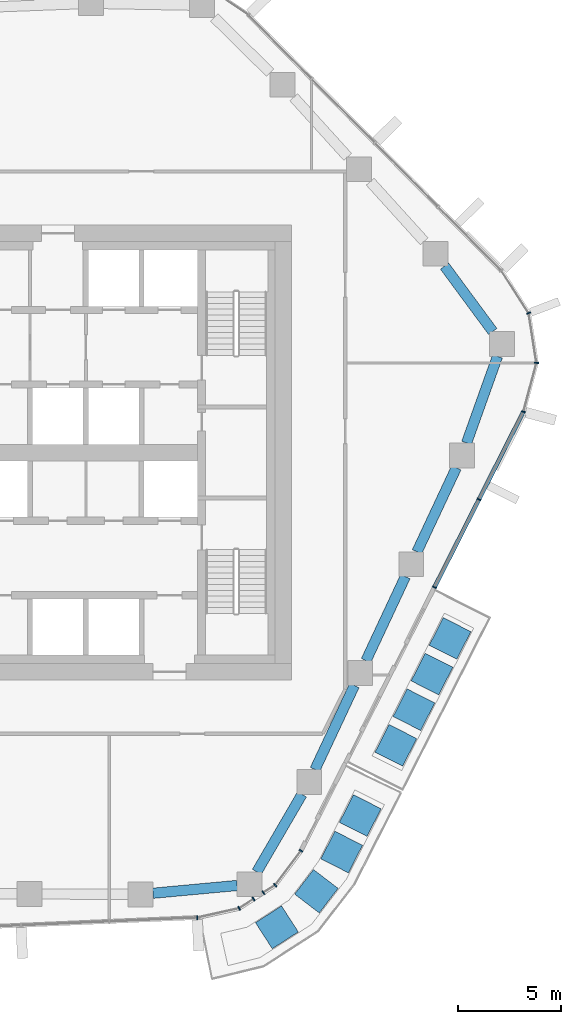
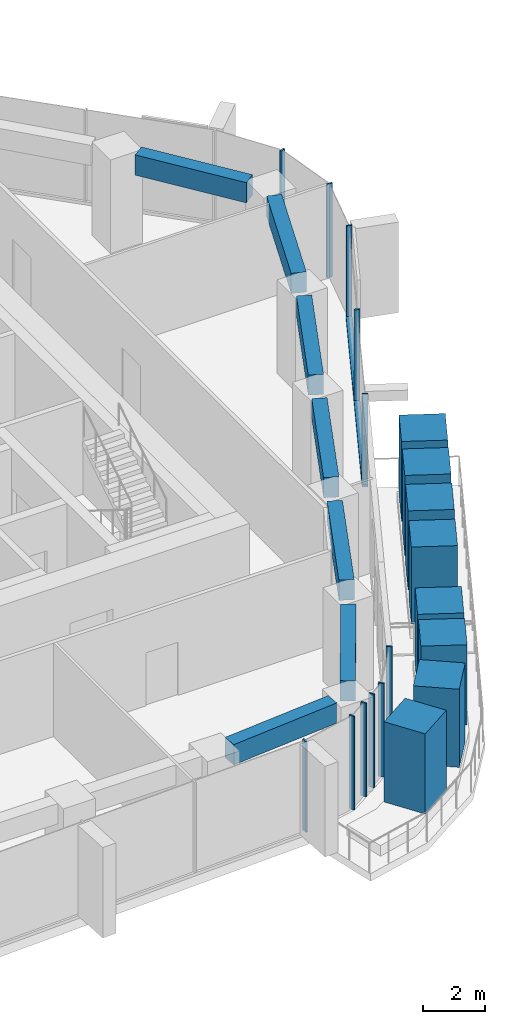
# One storey, part 4 of 17: 20 members, 7 beams, 5 elements without a shape of their own.
"""IFC4 building model written with IfcOpenShell, lengths in metres."""

from ifc_helpers import new_model, si_unit, direction, frame, origin, origin_2d, place, context, subcontext, project, spatial, rectangle, extrude, material, layer, layer_set, material_profile, profile_set, type_object, element, aggregate, save


model = new_model("IFC4")

# Units and contexts
model_context = context("Model", 3, precision=1e-05, world=origin(), true_north=direction((0.0, 1.0)))
body_context = subcontext(model_context, "Body", "Model", "MODEL_VIEW")
ifc_project = project(units=[si_unit("LENGTHUNIT", "METRE"), si_unit("AREAUNIT", "SQUARE_METRE"), si_unit("VOLUMEUNIT", "CUBIC_METRE"), si_unit("PLANEANGLEUNIT", "RADIAN"), si_unit("MASSUNIT", "GRAM", prefix="KILO")], contexts=[model_context])

# Site, building, storey
site_placement = place(None, origin())
site = spatial("IfcSite", under=ifc_project, at=site_placement, CompositionType="ELEMENT")
building_placement = place(site_placement, origin())
building = spatial("IfcBuilding", under=site, at=building_placement, Name="Dongbaek Canopy Tower", CompositionType="ELEMENT")
storey_placement = place(building_placement, frame((0.0, 0.0, 179.60009765625)))
storey = spatial("IfcBuildingStorey", under=building, at=storey_placement, Name="L39", CompositionType="ELEMENT", Elevation=179.60009765625)

# Curtain wall, members
ifc_material_1 = material(Name="Aluminium 6063-T6 pale anodised", Category="aluminium")
ifc_layer = layer(ifc_material_1, 0.199951171875)
ifc_layer_set = layer_set([ifc_layer], Name="CW-1 unitised tower curtain wall")
curtain_wall_type = type_object("IfcCurtainWallType", Name="CW-1 unitised tower curtain wall", PredefinedType="NOTDEFINED", material=ifc_layer_set)
curtain_wall_1_placement = place(storey_placement, origin())
curtain_wall_1 = element("IfcCurtainWall", 1, at=curtain_wall_1_placement, inside=storey, type_object=curtain_wall_type, Name="CW-1 curtain wall K0.1", PredefinedType="NOTDEFINED")
ifc_material_2 = material(Name="Aluminium 6063-T6 pale anodised", Category="aluminium")
ifc_material_profile_1 = material_profile(ifc_material_2, rectangle(XDim=0.199951171875, YDim=0.06005859375, at=origin_2d()), Name="CW-1 mullion 60 x 200")
ifc_profile_set_1 = profile_set([ifc_material_profile_1], Name="Aluminium 6063-T6 pale anodised")
member_type_1 = type_object("IfcMemberType", Name="CW-1 mullion 60 x 200", PredefinedType="MULLION", material=ifc_profile_set_1)
member_1_placement = place(storey_placement, frame((25.218505859375, 1.974609375, 0.0), z_axis=(0.0, 0.0, 1.0), x_axis=(0.966167065095, -0.257917045436, 0.0)))
member_1 = element("IfcMember", 2, at=member_1_placement, type_object=member_type_1, Name="CW-1 mullion K0.1.1", PredefinedType="MULLION", context=body_context, shape_type="SweptSolid", body=[
    extrude(rectangle(XDim=0.199951171875, YDim=0.06005859375, at=origin_2d()), origin(), (0.0, 0.0, 1.0), 3.699951171875),
])
member_2_placement = place(storey_placement, frame((25.85009765625, 4.340087890625, 0.0), z_axis=(0.0, 0.0, 1.0), x_axis=(0.998610902955, -0.052690269496, 0.0)))
member_2 = element("IfcMember", 3, at=member_2_placement, type_object=member_type_1, Name="CW-1 mullion K0.1.2", PredefinedType="MULLION", context=body_context, shape_type="SweptSolid", body=[
    extrude(rectangle(XDim=0.199951171875, YDim=0.06005859375, at=origin_2d()), origin(), (0.0, 0.0, 1.0), 3.699951171875),
])
member_3_placement = place(storey_placement, frame((25.47265625, 6.748291015625, 0.0), z_axis=(0.0, 0.0, 1.0), x_axis=(0.934627080368, 0.355629330402, 0.0)))
member_3 = element("IfcMember", 4, at=member_3_placement, type_object=member_type_1, Name="CW-1 mullion K0.1.3", PredefinedType="MULLION", context=body_context, shape_type="SweptSolid", body=[
    extrude(rectangle(XDim=0.199951171875, YDim=0.06005859375, at=origin_2d()), origin(), (0.0, 0.0, 1.0), 3.699951171875),
])
aggregate(curtain_wall_1, [member_1, member_2, member_3])

# Curtain wall, member
curtain_wall_2_placement = place(storey_placement, origin())
curtain_wall_2 = element("IfcCurtainWall", 5, at=curtain_wall_2_placement, inside=storey, type_object=curtain_wall_type, Name="CW-1 curtain wall F4.1", PredefinedType="NOTDEFINED")
member_4_placement = place(storey_placement, frame((9.439697265625, -22.49658203125, 0.119873046875), z_axis=(0.0, 0.0, 1.0), x_axis=(0.043640187851, -0.999047313196, 0.0)))
member_4 = element("IfcMember", 6, at=member_4_placement, type_object=member_type_1, Name="CW-1 mullion F4.1.5", PredefinedType="MULLION", context=body_context, shape_type="SweptSolid", body=[
    extrude(rectangle(XDim=0.199951171875, YDim=0.06005859375, at=origin_2d()), origin(), (0.0, 0.0, 1.0), 3.580078125),
])
aggregate(curtain_wall_2, [member_4])

# Curtain wall, members
curtain_wall_3_placement = place(storey_placement, origin())
curtain_wall_3 = element("IfcCurtainWall", 7, at=curtain_wall_3_placement, inside=storey, type_object=curtain_wall_type, Name="CW-1 curtain wall K5.1a", PredefinedType="NOTDEFINED")
member_5_placement = place(storey_placement, frame((11.46826171875, -22.04296875, 0.0), z_axis=(0.0, 0.0, 1.0), x_axis=(0.386065487551, -0.922471375882, 0.0)))
member_5 = element("IfcMember", 8, at=member_5_placement, type_object=member_type_1, Name="CW-1 mullion K5.1a.2", PredefinedType="MULLION", context=body_context, shape_type="SweptSolid", body=[
    extrude(rectangle(XDim=0.199951171875, YDim=0.06005859375, at=origin_2d()), origin(), (0.0, 0.0, 1.0), 3.699951171875),
])
member_6_placement = place(storey_placement, frame((12.1640625, -21.59423828125, 0.0), z_axis=(0.0, 0.0, 1.0), x_axis=(0.541917367704, -0.8404317739, 0.0)))
member_6 = element("IfcMember", 9, at=member_6_placement, type_object=member_type_1, Name="CW-1 mullion K5.1a.3", PredefinedType="MULLION", context=body_context, shape_type="SweptSolid", body=[
    extrude(rectangle(XDim=0.199951171875, YDim=0.06005859375, at=origin_2d()), origin(), (0.0, 0.0, 1.0), 3.699951171875),
])
aggregate(curtain_wall_3, [member_5, member_6])

curtain_wall_4_placement = place(storey_placement, origin())
curtain_wall_4 = element("IfcCurtainWall", 10, at=curtain_wall_4_placement, inside=storey, type_object=curtain_wall_type, Name="CW-1 curtain wall K5.1b", PredefinedType="NOTDEFINED")
member_7_placement = place(storey_placement, frame((12.642333984375, -21.285888671875, 0.0), z_axis=(0.0, 0.0, 1.0), x_axis=(0.541917367704, -0.8404317739, 0.0)))
member_7 = element("IfcMember", 11, at=member_7_placement, type_object=member_type_1, Name="CW-1 mullion K5.1b.1", PredefinedType="MULLION", context=body_context, shape_type="SweptSolid", body=[
    extrude(rectangle(XDim=0.199951171875, YDim=0.06005859375, at=origin_2d()), origin(), (0.0, 0.0, 1.0), 3.699951171875),
])
member_8_placement = place(storey_placement, frame((13.20751953125, -20.92138671875, 0.0), z_axis=(0.0, 0.0, 1.0), x_axis=(0.680958805912, -0.732321722094, 0.0)))
member_8 = element("IfcMember", 12, at=member_8_placement, type_object=member_type_1, Name="CW-1 mullion K5.1b.2", PredefinedType="MULLION", context=body_context, shape_type="SweptSolid", body=[
    extrude(rectangle(XDim=0.199951171875, YDim=0.06005859375, at=origin_2d()), origin(), (0.0, 0.0, 1.0), 3.699951171875),
])
member_9_placement = place(storey_placement, frame((14.4580078125, -19.2607421875, 0.0), z_axis=(0.0, 0.0, 1.0), x_axis=(0.798876694377, -0.601494827227, 0.0)))
member_9 = element("IfcMember", 13, at=member_9_placement, type_object=member_type_1, Name="CW-1 mullion K5.1b.3", PredefinedType="MULLION", context=body_context, shape_type="SweptSolid", body=[
    extrude(rectangle(XDim=0.199951171875, YDim=0.06005859375, at=origin_2d()), origin(), (0.0, 0.0, 1.0), 3.699951171875),
])
aggregate(curtain_wall_4, [member_7, member_8, member_9])

curtain_wall_5_placement = place(storey_placement, origin())
curtain_wall_5 = element("IfcCurtainWall", 14, at=curtain_wall_5_placement, inside=storey, type_object=curtain_wall_type, Name="CW-1 curtain wall F5.1", PredefinedType="NOTDEFINED")
member_10_placement = place(storey_placement, frame((20.91552734375, -6.51708984375, 0.119873046875), z_axis=(0.0, 0.0, 1.0), x_axis=(0.892013184253, -0.452009379459, 0.0)))
member_10 = element("IfcMember", 15, at=member_10_placement, type_object=member_type_1, Name="CW-1 mullion F5.1.1", PredefinedType="MULLION", context=body_context, shape_type="SweptSolid", body=[
    extrude(rectangle(XDim=0.199951171875, YDim=0.06005859375, at=origin_2d()), origin(), (0.0, 0.0, 1.0), 3.580078125),
])
member_11_placement = place(storey_placement, frame((23.0693359375, -2.2666015625, 0.119873046875), z_axis=(0.0, 0.0, 1.0), x_axis=(0.892013184253, -0.452009379459, 0.0)))
member_11 = element("IfcMember", 16, at=member_11_placement, type_object=member_type_1, Name="CW-1 mullion F5.1.2", PredefinedType="MULLION", context=body_context, shape_type="SweptSolid", body=[
    extrude(rectangle(XDim=0.199951171875, YDim=0.06005859375, at=origin_2d()), origin(), (0.0, 0.0, 1.0), 3.580078125),
])
ifc_material_3 = material(Name="Aluminium 6063-T6 pale anodised", Category="aluminium")
ifc_material_profile_2 = material_profile(ifc_material_3, rectangle(XDim=0.199951171875, YDim=0.1201171875, at=origin_2d()), Name="CW-1 transom 120 x 200")
ifc_profile_set_2 = profile_set([ifc_material_profile_2], Name="Aluminium 6063-T6 pale anodised")
member_type_2 = type_object("IfcMemberType", Name="CW-1 transom 120 x 200", PredefinedType="USERDEFINED", material=ifc_profile_set_2)
member_12_placement = place(storey_placement, frame((20.91552734375, -6.51708984375, 0.059814453125), z_axis=(0.452008055739, 0.89201385502, 0.0), x_axis=(-0.89201385502, 0.452008055739, 0.0)))
member_12 = element("IfcMember", 17, at=member_12_placement, type_object=member_type_2, Name="CW-1 transom F5.1.1", ObjectType="TRANSOM", PredefinedType="USERDEFINED", context=body_context, shape_type="SweptSolid", body=[
    extrude(rectangle(XDim=0.199951171875, YDim=0.1201171875, at=origin_2d()), origin(), (0.0, 0.0, 1.0), 9.519775390625),
])
aggregate(curtain_wall_5, [member_10, member_11, member_12])

# Beams
ifc_material_4 = material(Name="Concrete C70", Category="concrete")
ifc_material_profile_3 = material_profile(ifc_material_4, rectangle(XDim=0.5, YDim=0.800048828125, at=origin_2d()), Name="RC EDGE BEAM 500x800 C70")
ifc_profile_set_3 = profile_set([ifc_material_profile_3], Name="Concrete C70")
beam_type = type_object("IfcBeamType", Name="RC EDGE BEAM 500x800 C70", PredefinedType="BEAM", material=ifc_profile_set_3)
beam_1_placement = place(storey_placement, frame((11.3720703125, -20.9404296875, 3.2998046875), z_axis=(-0.995763065099, -0.091956066598, 0.0), x_axis=(0.091956066598, -0.995763065099, 0.0)))
element("IfcBeam", 18, at=beam_1_placement, inside=storey, type_object=beam_type, Name="EDGEBEAM:L39:00", PredefinedType="BEAM", context=body_context, shape_type="SweptSolid", body=[
    extrude(rectangle(XDim=0.5, YDim=0.800048828125, at=origin_2d()), origin(), (0.0, 0.0, 1.0), 4.09130859375),
])
beam_2_placement = place(storey_placement, frame((21.402587890625, 9.02099609375, 3.2998046875), z_axis=(0.593743199573, -0.804654592332, 0.0), x_axis=(0.804654592332, 0.593743199573, 0.0)))
element("IfcBeam", 19, at=beam_2_placement, inside=storey, type_object=beam_type, Name="EDGEBEAM:L39:20", PredefinedType="BEAM", context=body_context, shape_type="SweptSolid", body=[
    extrude(rectangle(XDim=0.5, YDim=0.800048828125, at=origin_2d()), origin(), (0.0, 0.0, 1.0), 3.93212890625),
])
beam_3_placement = place(storey_placement, frame((23.965576171875, 4.656982421875, 3.2998046875), z_axis=(-0.336398951073, -0.941719568511, 0.0), x_axis=(0.941719568511, -0.336398951073, 0.0)))
element("IfcBeam", 20, at=beam_3_placement, inside=storey, type_object=beam_type, Name="EDGEBEAM:L39:21", PredefinedType="BEAM", context=body_context, shape_type="SweptSolid", body=[
    extrude(rectangle(XDim=0.5, YDim=0.800048828125, at=origin_2d()), origin(), (0.0, 0.0, 1.0), 4.4501953125),
])
beam_4_placement = place(storey_placement, frame((21.972900390625, -0.73388671875, 3.2998046875), z_axis=(-0.424114752544, -0.905608456605, 0.0), x_axis=(0.905608456605, -0.424114752544, 0.0)))
element("IfcBeam", 21, at=beam_4_placement, inside=storey, type_object=beam_type, Name="EDGEBEAM:L39:22", PredefinedType="BEAM", context=body_context, shape_type="SweptSolid", body=[
    extrude(rectangle(XDim=0.5, YDim=0.800048828125, at=origin_2d()), origin(), (0.0, 0.0, 1.0), 4.489013671875),
])
beam_5_placement = place(storey_placement, frame((19.507080078125, -5.9990234375, 3.2998046875), z_axis=(-0.424057758342, -0.905635145956, 0.0), x_axis=(0.905635145956, -0.424057758342, 0.0)))
element("IfcBeam", 22, at=beam_5_placement, inside=storey, type_object=beam_type, Name="EDGEBEAM:L39:23", PredefinedType="BEAM", context=body_context, shape_type="SweptSolid", body=[
    extrude(rectangle(XDim=0.5, YDim=0.800048828125, at=origin_2d()), origin(), (0.0, 0.0, 1.0), 4.49072265625),
])
beam_6_placement = place(storey_placement, frame((17.041015625, -11.26611328125, 3.2998046875), z_axis=(-0.424275059541, -0.905533364295, 0.0), x_axis=(0.905533364295, -0.424275059541, 0.0)))
element("IfcBeam", 23, at=beam_6_placement, inside=storey, type_object=beam_type, Name="EDGEBEAM:L39:24", PredefinedType="BEAM", context=body_context, shape_type="SweptSolid", body=[
    extrude(rectangle(XDim=0.5, YDim=0.800048828125, at=origin_2d()), origin(), (0.0, 0.0, 1.0), 4.489990234375),
])
beam_7_placement = place(storey_placement, frame((14.505859375, -16.531982421875, 3.2998046875), z_axis=(-0.503073799677, -0.864243456486, 0.0), x_axis=(0.864243456486, -0.503073799677, 0.0)))
element("IfcBeam", 24, at=beam_7_placement, inside=storey, type_object=beam_type, Name="EDGEBEAM:L39:25", PredefinedType="BEAM", context=body_context, shape_type="SweptSolid", body=[
    extrude(rectangle(XDim=0.5, YDim=0.800048828125, at=origin_2d()), origin(), (0.0, 0.0, 1.0), 4.342529296875),
])

# Members
ifc_material_5 = material(Name="Concrete C40/50 planter mass with planting", Category="concrete")
ifc_material_profile_4 = material_profile(ifc_material_5, rectangle(XDim=1.5, YDim=1.5, at=origin_2d()), Name="Terrace PLANTER shrub mass 1500 x 1500")
ifc_profile_set_4 = profile_set([ifc_material_profile_4], Name="Concrete C40/50 planter mass with planting")
member_type_3 = type_object("IfcMemberType", Name="Terrace PLANTER shrub mass 1500 x 1500", PredefinedType="USERDEFINED", material=ifc_profile_set_4)
member_13_placement = place(storey_placement, frame((19.048095703125, -14.16259765625, 0.419921875), z_axis=(0.0, 0.0, 1.0), x_axis=(0.892013184253, -0.452009379459, 0.0)))
element("IfcMember", 25, at=member_13_placement, inside=storey, type_object=member_type_3, Name="Planter shrubs L39 1.1", ObjectType="PLANTER", PredefinedType="USERDEFINED", context=body_context, shape_type="SweptSolid", body=[
    extrude(rectangle(XDim=1.5, YDim=1.5, at=origin_2d()), origin(), (0.0, 0.0, 1.0), 3.050048828125),
])
member_14_placement = place(storey_placement, frame((19.921630859375, -12.438720703125, 0.419921875), z_axis=(0.0, 0.0, 1.0), x_axis=(0.892013184253, -0.452009379459, 0.0)))
element("IfcMember", 26, at=member_14_placement, inside=storey, type_object=member_type_3, Name="Planter shrubs L39 1.2", ObjectType="PLANTER", PredefinedType="USERDEFINED", context=body_context, shape_type="SweptSolid", body=[
    extrude(rectangle(XDim=1.5, YDim=1.5, at=origin_2d()), origin(), (0.0, 0.0, 1.0), 3.1298828125),
])
member_15_placement = place(storey_placement, frame((20.795166015625, -10.71484375, 0.419921875), z_axis=(0.0, 0.0, 1.0), x_axis=(0.892013184253, -0.452009379459, 0.0)))
element("IfcMember", 27, at=member_15_placement, inside=storey, type_object=member_type_3, Name="Planter shrubs L39 1.3", ObjectType="PLANTER", PredefinedType="USERDEFINED", context=body_context, shape_type="SweptSolid", body=[
    extrude(rectangle(XDim=1.5, YDim=1.5, at=origin_2d()), origin(), (0.0, 0.0, 1.0), 3.179931640625),
])
for number, where, z_axis, x_axis, name in (
    (28, (21.668701171875, -8.990966796875, 0.419921875), (0.0, 0.0, 1.0), (0.892013184253, -0.452009379459, 0.0), "Planter shrubs L39 1.4"),
    (29, (13.293701171875, -22.964599609375, 0.419921875), (0.0, 0.0, 1.0), (0.541917367704, -0.8404317739, 0.0), "Planter shrubs L39 2.1"),
):
    element("IfcMember", number, at=place(storey_placement, frame(where, z_axis=z_axis, x_axis=x_axis)), inside=storey, type_object=member_type_3, Name=name, ObjectType="PLANTER", PredefinedType="USERDEFINED", context=body_context, shape_type="SweptSolid", body=[
        extrude(rectangle(XDim=1.5, YDim=1.5, at=origin_2d()), origin(), (0.0, 0.0, 1.0), 3.169921875),
    ])
member_16_placement = place(storey_placement, frame((15.20263671875, -21.220458984375, 0.419921875), z_axis=(0.0, 0.0, 1.0), x_axis=(0.794220072338, -0.607630213778, 0.0)))
element("IfcMember", 30, at=member_16_placement, inside=storey, type_object=member_type_3, Name="Planter shrubs L39 2.2", ObjectType="PLANTER", PredefinedType="USERDEFINED", context=body_context, shape_type="SweptSolid", body=[
    extrude(rectangle(XDim=1.5, YDim=1.5, at=origin_2d()), origin(), (0.0, 0.0, 1.0), 3.090087890625),
])
member_17_placement = place(storey_placement, frame((16.427001953125, -19.324462890625, 0.419921875), z_axis=(0.0, 0.0, 1.0), x_axis=(0.891263260398, -0.453486273955, 0.0)))
element("IfcMember", 31, at=member_17_placement, inside=storey, type_object=member_type_3, Name="Planter shrubs L39 2.3", ObjectType="PLANTER", PredefinedType="USERDEFINED", context=body_context, shape_type="SweptSolid", body=[
    extrude(rectangle(XDim=1.5, YDim=1.5, at=origin_2d()), origin(), (0.0, 0.0, 1.0), 3.179931640625),
])
member_18_placement = place(storey_placement, frame((17.32568359375, -17.557861328125, 0.419921875), z_axis=(0.0, 0.0, 1.0), x_axis=(0.891263260398, -0.453486273955, 0.0)))
element("IfcMember", 32, at=member_18_placement, inside=storey, type_object=member_type_3, Name="Planter shrubs L39 2.4", ObjectType="PLANTER", PredefinedType="USERDEFINED", context=body_context, shape_type="SweptSolid", body=[
    extrude(rectangle(XDim=1.5, YDim=1.5, at=origin_2d()), origin(), (0.0, 0.0, 1.0), 3.050048828125),
])

save(model, "model.ifc")
